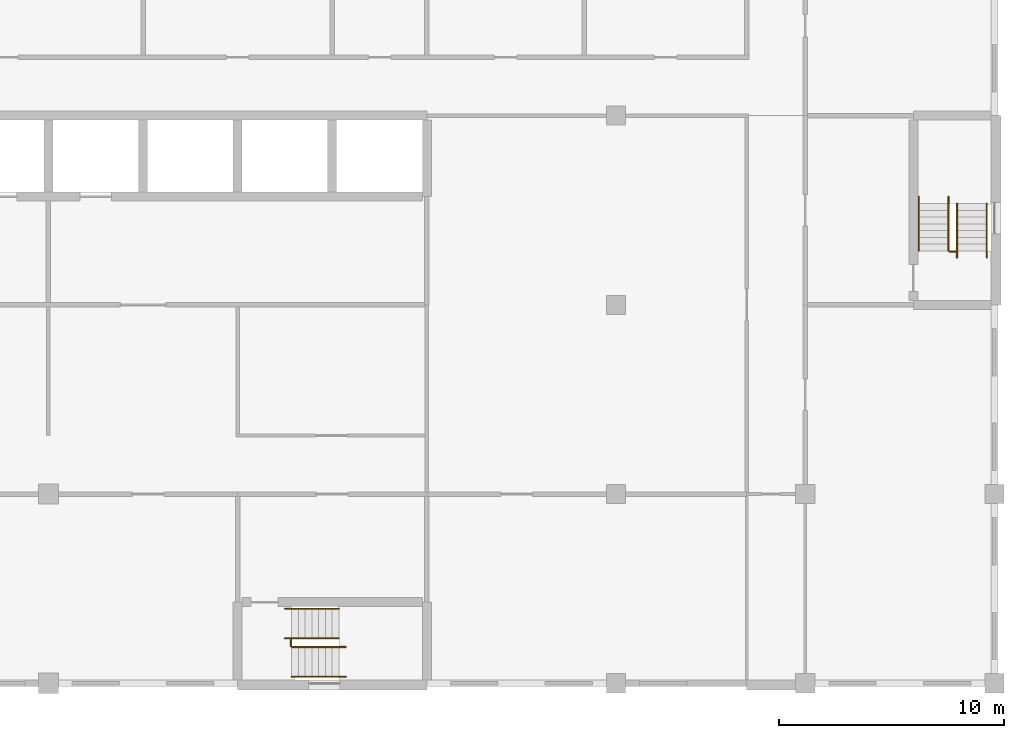
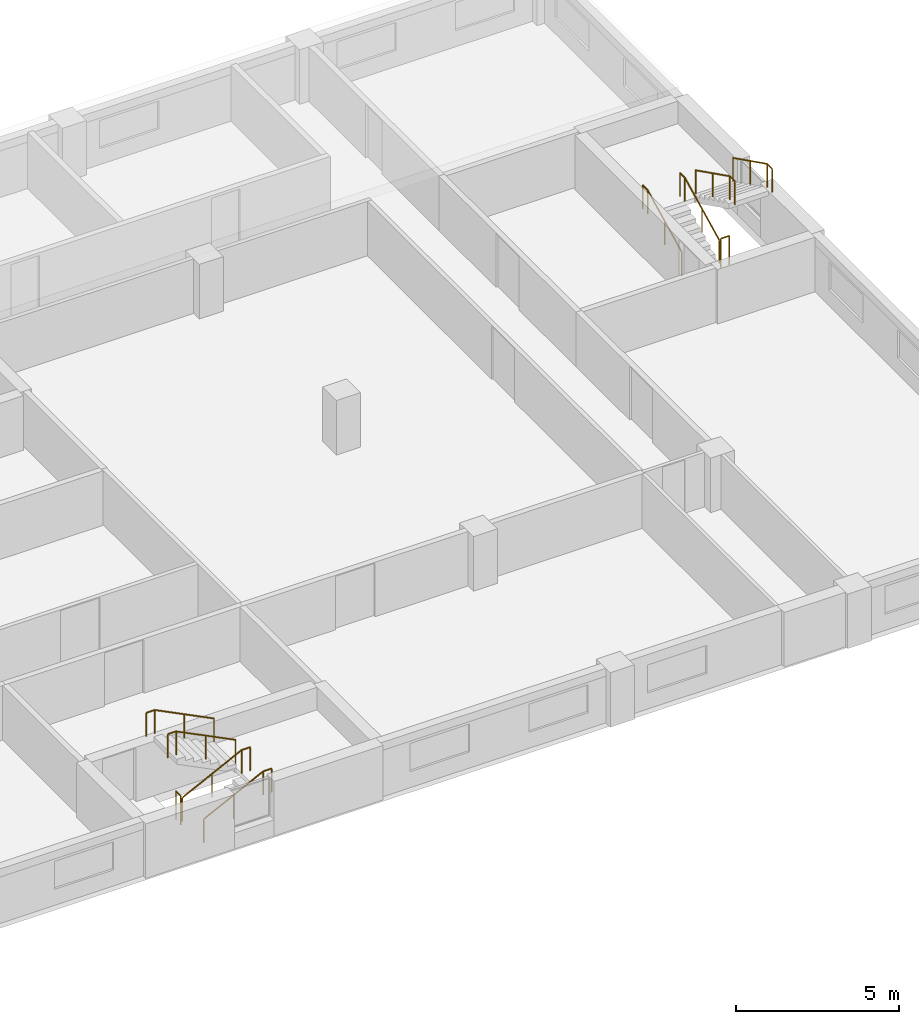
# One storey, part 48 of 48: 10 railings.
"""IFC4 building model written with IfcOpenShell, lengths in metres."""

from ifc_helpers import new_model, si_unit, direction, frame, origin, origin_2d, place, context, subcontext, project, spatial, circle, extrude, material, type_object, element, save


model = new_model("IFC4")

# Units and contexts
model_context = context("Model", 3, precision=1e-05, world=origin(), true_north=direction((0.0, 1.0)))
body_context = subcontext(model_context, "Body", "Model", "MODEL_VIEW")
ifc_project = project(units=[si_unit("LENGTHUNIT", "METRE"), si_unit("AREAUNIT", "SQUARE_METRE"), si_unit("VOLUMEUNIT", "CUBIC_METRE"), si_unit("PLANEANGLEUNIT", "RADIAN"), si_unit("MASSUNIT", "GRAM", prefix="KILO")], contexts=[model_context])

# Site, building, storey
site_placement = place(None, origin())
site = spatial("IfcSite", under=ifc_project, at=site_placement, CompositionType="ELEMENT")
building_placement = place(site_placement, origin())
building = spatial("IfcBuilding", under=site, at=building_placement, Name="Yavir Park General Hospital", CompositionType="ELEMENT")
storey_placement = place(building_placement, frame((0.0, 0.0, 12.89990234375)))
storey = spatial("IfcBuildingStorey", under=building, at=storey_placement, Name="I02", CompositionType="ELEMENT", Elevation=12.89990234375)

# Railings
ifc_material_1 = material(Name="Steel balustrade with infill rods", Category="steel")
railing_type_1 = type_object("IfcRailingType", Name="Stair guard, steel balustrade 1100 mm", PredefinedType="GUARDRAIL", material=ifc_material_1)
railing_1_placement = place(storey_placement, frame((136.77001953125, 1.64990234375, 0.0)))
element("IfcRailing", 1, at=railing_1_placement, inside=storey, type_object=railing_type_1, Name="Stair well guard SU5 I02", PredefinedType="GUARDRAIL", context=body_context, shape_type="SweptSolid", body=[
    extrude(circle(Radius=0.02392578125, at=origin_2d()), frame((0.0, 0.0, 1.076171875), z_axis=(0.0, 1.0, 0.0), x_axis=(-1.0, 0.0, 0.0)), (0.0, 0.0, 1.0), 0.300048828125),
    extrude(circle(Radius=0.02099609375, at=origin_2d()), origin(), (0.0, 0.0, 1.0), 1.052001953125),
    extrude(circle(Radius=0.02099609375, at=origin_2d()), frame((0.0, 0.300048828125, 0.0)), (0.0, 0.0, 1.0), 1.052001953125),
])
railing_2_placement = place(storey_placement, frame((166.0, 19.169921875, 0.0)))
element("IfcRailing", 2, at=railing_2_placement, inside=storey, type_object=railing_type_1, Name="Stair well guard SU6 I02", PredefinedType="GUARDRAIL", context=body_context, shape_type="SweptSolid", body=[
    extrude(circle(Radius=0.02392578125, at=origin_2d()), frame((0.0, 0.0, 1.076171875), z_axis=(1.0, 0.0, 0.0), x_axis=(0.0, 1.0, 0.0)), (0.0, 0.0, 1.0), 0.300048828125),
    extrude(circle(Radius=0.02099609375, at=origin_2d()), origin(), (0.0, 0.0, 1.0), 1.052001953125),
    extrude(circle(Radius=0.02099609375, at=origin_2d()), frame((0.300048828125, 0.0, 0.0)), (0.0, 0.0, 1.0), 1.052001953125),
])
ifc_material_2 = material(Name="Stainless steel tube 48 mm", Category="steel")
railing_type_2 = type_object("IfcRailingType", Name="Stair handrail, steel tube, 900 mm above the nosings", PredefinedType="HANDRAIL", material=ifc_material_2)
for number, where, name in (
    (3, (136.800048828125, 0.2900390625, 0.150146484375), "Handrail SU5 I02 1"),
    (4, (136.800048828125, 1.610107421875, 0.150146484375), "Handrail SU5 I02 2"),
):
    element("IfcRailing", number, at=place(storey_placement, frame(where)), inside=storey, type_object=railing_type_2, Name=name, PredefinedType="HANDRAIL", context=body_context, shape_type="SweptSolid", body=[
        extrude(circle(Radius=0.02392578125, at=origin_2d()), frame((0.0, 0.0, 0.8759765625), z_axis=(0.894406392302, 0.0, 0.447255190477), x_axis=(0.0, 1.0, 0.0)), (0.0, 0.0, 1.0), 2.34765625),
        extrude(circle(Radius=0.02392578125, at=origin_2d()), frame((2.099853515625, 0.0, 1.92578125), z_axis=(1.0, 0.0, 0.0), x_axis=(0.0, 1.0, 0.0)), (0.0, 0.0, 1.0), 0.300048828125),
        extrude(circle(Radius=0.02099609375, at=origin_2d()), origin(), (0.0, 0.0, 1.0), 0.851806640625),
        extrude(circle(Radius=0.02099609375, at=origin_2d()), frame((1.0498046875, 0.0, 0.52490234375)), (0.0, 0.0, 1.0), 0.851806640625),
        extrude(circle(Radius=0.02099609375, at=origin_2d()), frame((2.099853515625, 0.0, 1.050048828125)), (0.0, 0.0, 1.0), 0.851806640625),
        extrude(circle(Radius=0.02099609375, at=origin_2d()), frame((2.39990234375, 0.0, 1.050048828125)), (0.0, 0.0, 1.0), 0.851806640625),
    ])
for number, where, name in (
    (5, (138.89990234375, 3.31005859375, 1.35009765625), "Handrail SU5 I02 3"),
    (6, (138.89990234375, 1.989990234375, 1.35009765625), "Handrail SU5 I02 4"),
):
    element("IfcRailing", number, at=place(storey_placement, frame(where)), inside=storey, type_object=railing_type_2, Name=name, PredefinedType="HANDRAIL", context=body_context, shape_type="SweptSolid", body=[
        extrude(circle(Radius=0.02392578125, at=origin_2d()), frame((0.0, 0.0, 0.8759765625), z_axis=(-0.894406392302, 0.0, 0.447255190477), x_axis=(0.0, -1.0, 0.0)), (0.0, 0.0, 1.0), 2.34765625),
        extrude(circle(Radius=0.02392578125, at=origin_2d()), frame((-2.099853515625, 0.0, 1.92578125), z_axis=(-1.0, 0.0, 0.0), x_axis=(0.0, -1.0, 0.0)), (0.0, 0.0, 1.0), 0.300048828125),
        extrude(circle(Radius=0.02099609375, at=origin_2d()), origin(), (0.0, 0.0, 1.0), 0.851806640625),
        extrude(circle(Radius=0.02099609375, at=origin_2d()), frame((-1.0498046875, 0.0, 0.52490234375)), (0.0, 0.0, 1.0), 0.851806640625),
        extrude(circle(Radius=0.02099609375, at=origin_2d()), frame((-2.099853515625, 0.0, 1.050048828125)), (0.0, 0.0, 1.0), 0.851806640625),
        extrude(circle(Radius=0.02099609375, at=origin_2d()), frame((-2.39990234375, 0.0, 1.050048828125)), (0.0, 0.0, 1.0), 0.851806640625),
    ])
for number, where, name in (
    (7, (164.639892578125, 19.199951171875, 0.150146484375), "Handrail SU6 I02 1"),
    (8, (165.9599609375, 19.199951171875, 0.150146484375), "Handrail SU6 I02 2"),
):
    element("IfcRailing", number, at=place(storey_placement, frame(where)), inside=storey, type_object=railing_type_2, Name=name, PredefinedType="HANDRAIL", context=body_context, shape_type="SweptSolid", body=[
        extrude(circle(Radius=0.02392578125, at=origin_2d()), frame((0.0, 0.0, 0.8759765625), z_axis=(0.0, 0.894427191, 0.4472135955), x_axis=(-1.0, 0.0, 0.0)), (0.0, 0.0, 1.0), 2.347900390625),
        extrude(circle(Radius=0.02392578125, at=origin_2d()), frame((0.0, 2.10009765625, 1.92578125), z_axis=(0.0, 1.0, 0.0), x_axis=(-1.0, 0.0, 0.0)), (0.0, 0.0, 1.0), 0.300048828125),
        extrude(circle(Radius=0.02099609375, at=origin_2d()), origin(), (0.0, 0.0, 1.0), 0.851806640625),
        extrude(circle(Radius=0.02099609375, at=origin_2d()), frame((0.0, 1.050048828125, 0.52490234375)), (0.0, 0.0, 1.0), 0.851806640625),
        extrude(circle(Radius=0.02099609375, at=origin_2d()), frame((0.0, 2.10009765625, 1.050048828125)), (0.0, 0.0, 1.0), 0.851806640625),
        extrude(circle(Radius=0.02099609375, at=origin_2d()), frame((0.0, 2.400146484375, 1.050048828125)), (0.0, 0.0, 1.0), 0.851806640625),
    ])
for number, where, name in (
    (9, (167.659912109375, 21.300048828125, 1.35009765625), "Handrail SU6 I02 3"),
    (10, (166.340087890625, 21.300048828125, 1.35009765625), "Handrail SU6 I02 4"),
):
    element("IfcRailing", number, at=place(storey_placement, frame(where)), inside=storey, type_object=railing_type_2, Name=name, PredefinedType="HANDRAIL", context=body_context, shape_type="SweptSolid", body=[
        extrude(circle(Radius=0.02392578125, at=origin_2d()), frame((0.0, 0.0, 0.8759765625), z_axis=(0.0, -0.894427191, 0.4472135955), x_axis=(1.0, 0.0, 0.0)), (0.0, 0.0, 1.0), 2.347900390625),
        extrude(circle(Radius=0.02392578125, at=origin_2d()), frame((0.0, -2.10009765625, 1.92578125), z_axis=(0.0, -1.0, 0.0), x_axis=(1.0, 0.0, 0.0)), (0.0, 0.0, 1.0), 0.300048828125),
        extrude(circle(Radius=0.02099609375, at=origin_2d()), origin(), (0.0, 0.0, 1.0), 0.851806640625),
        extrude(circle(Radius=0.02099609375, at=origin_2d()), frame((0.0, -1.050048828125, 0.52490234375)), (0.0, 0.0, 1.0), 0.851806640625),
        extrude(circle(Radius=0.02099609375, at=origin_2d()), frame((0.0, -2.10009765625, 1.050048828125)), (0.0, 0.0, 1.0), 0.851806640625),
        extrude(circle(Radius=0.02099609375, at=origin_2d()), frame((0.0, -2.400146484375, 1.050048828125)), (0.0, 0.0, 1.0), 0.851806640625),
    ])

save(model, "model.ifc")
